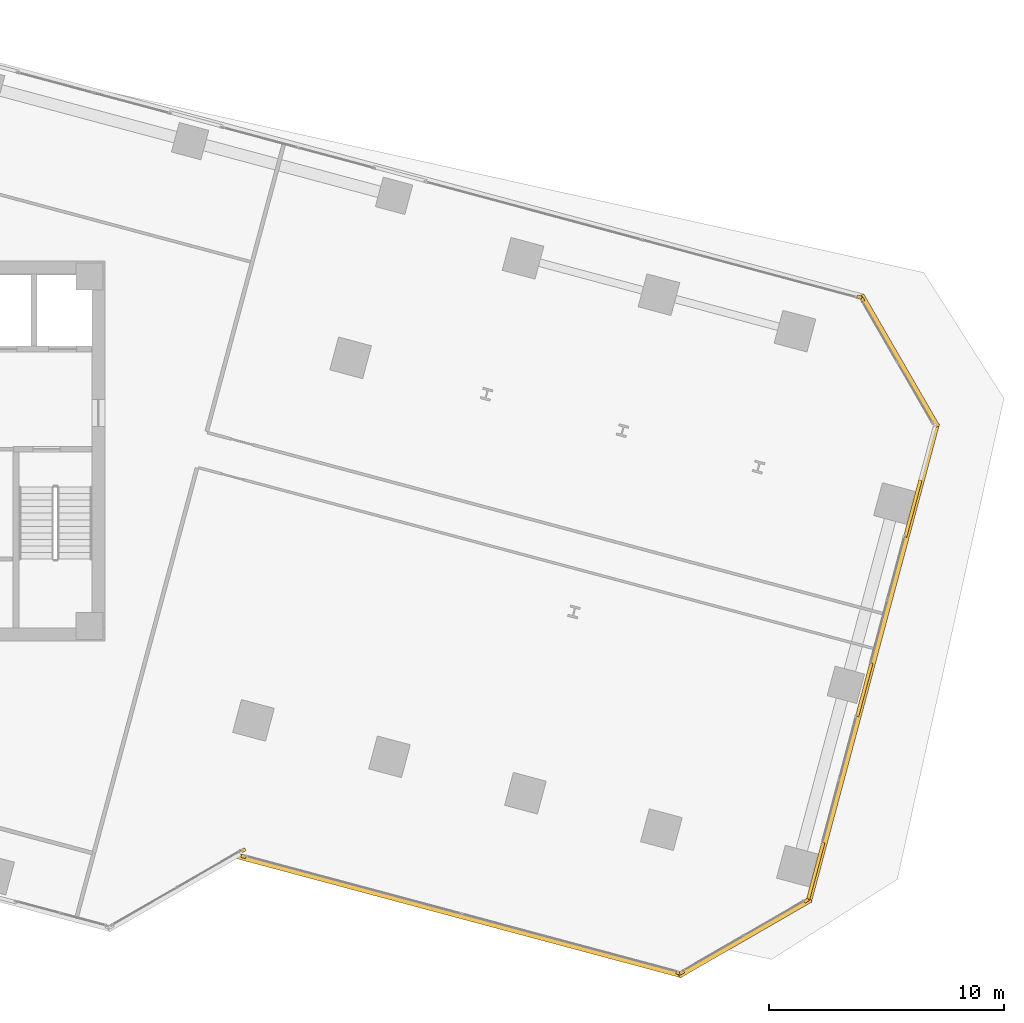
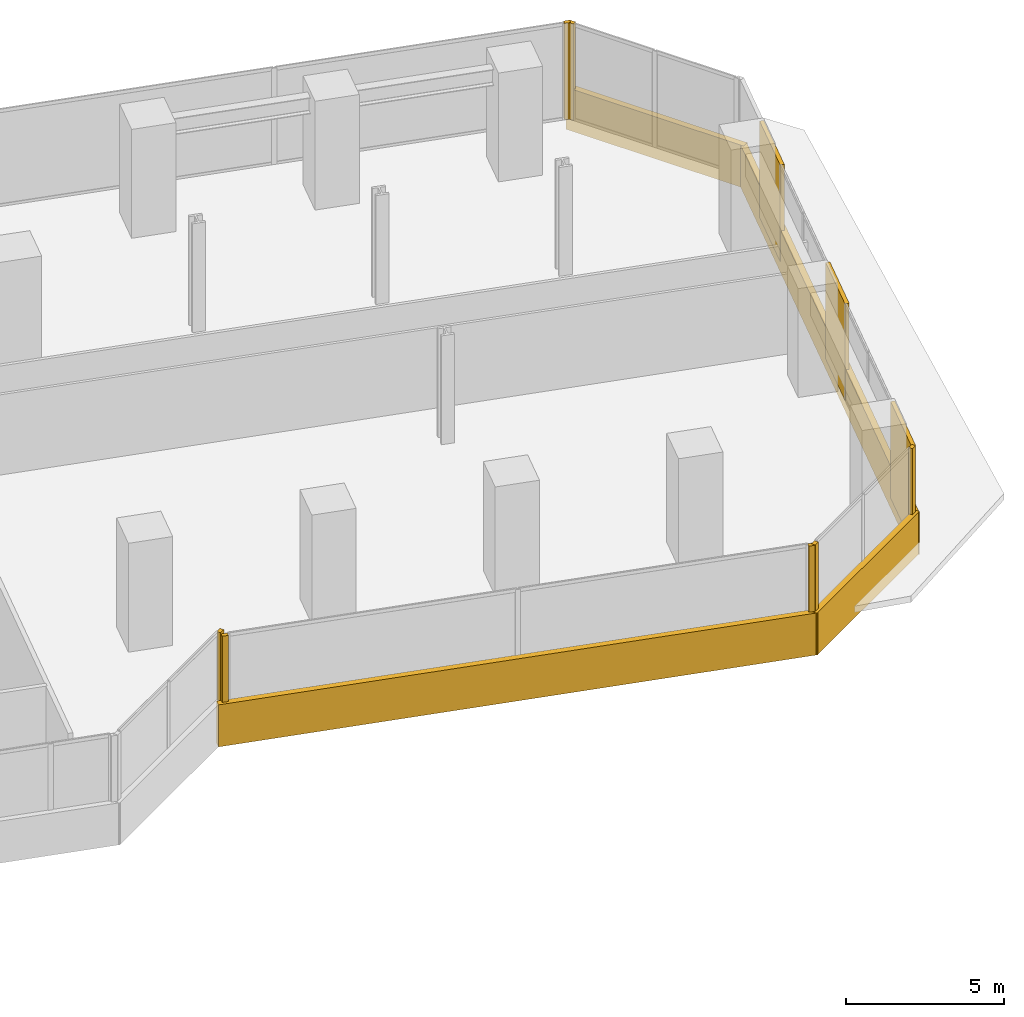
# One storey, part 24 of 26: 14 coverings.
"""IFC4 building model written with IfcOpenShell, lengths in metres."""

from ifc_helpers import new_model, si_unit, direction, frame, origin, origin_2d, place, context, subcontext, project, spatial, rectangle, extrude, source, transform, mapped, material, layer, layer_set, type_object, element, save


model = new_model("IFC4")

# Units and contexts
model_context = context("Model", 3, precision=1e-05, world=origin(), true_north=direction((0.0, 1.0)))
body_context = subcontext(model_context, "Body", "Model", "MODEL_VIEW")
ifc_project = project(units=[si_unit("LENGTHUNIT", "METRE"), si_unit("AREAUNIT", "SQUARE_METRE"), si_unit("VOLUMEUNIT", "CUBIC_METRE"), si_unit("PLANEANGLEUNIT", "RADIAN"), si_unit("MASSUNIT", "GRAM", prefix="KILO")], contexts=[model_context])

# Site, building, storey
site_placement = place(None, origin())
site = spatial("IfcSite", under=ifc_project, at=site_placement, CompositionType="ELEMENT")
building_placement = place(site_placement, origin())
building = spatial("IfcBuilding", under=site, at=building_placement, Name="Torre Montelarca", CompositionType="ELEMENT")
storey_placement = place(building_placement, frame((0.0, 0.0, 100.0)))
storey = spatial("IfcBuildingStorey", under=building, at=storey_placement, Name="L22", CompositionType="ELEMENT", Elevation=100.0)

# Coverings
ifc_material = material(Name="Bush-hammered warm white precast concrete C45/55", Category="concrete")
ifc_layer = layer(ifc_material, 0.139892578125, Name="Bush-hammered warm white precast concrete C45/55", Category="concrete")
ifc_layer_set = layer_set([ifc_layer], Name="Bush-hammered warm white precast concrete C45/55")
covering_type = type_object("IfcCoveringType", Name="COV-TRAY-CLAD", PredefinedType="CLADDING", material=ifc_layer_set)
shared_shape_1 = source(origin(), body_context, "Body", "SweptSolid", [
    extrude(rectangle(XDim=6.48388671875, YDim=0.219970703125, at=origin_2d()), origin(), (0.0, 0.0, 1.0), 1.6201171875),
])
for number, where, z_axis, x_axis, name in (
    (1, (54.3798828125, 11.25439453125, -0.449951171875), (0.0, 0.0, 1.0), (0.866026276448, 0.4999984885, 0.0), "L22 Architectural White Spandrel Tray Band TRYBOT-05"),
    (2, (60.96875, 35.844482421875, -0.449951171875), (0.0, 0.0, 1.0), (-0.500006045986, 0.866021913105, 0.0), "L22 Architectural White Spandrel Tray Band TRYBOT-07"),
):
    element("IfcCovering", number, at=place(storey_placement, frame(where, z_axis=z_axis, x_axis=x_axis)), inside=storey, type_object=covering_type, Name=name, PredefinedType="CLADDING", context=body_context, shape_type="MappedRepresentation", body=[
        mapped(shared_shape_1, transform((0.0, 0.0, 0.0), scale=1.0)),
    ])
shared_shape_2 = source(origin(), body_context, "Body", "SweptSolid", [
    extrude(rectangle(XDim=21.1201171875, YDim=0.219970703125, at=origin_2d()), origin(), (0.0, 0.0, 1.0), 1.6201171875),
])
covering_1_placement = place(storey_placement, frame((59.839111328125, 22.969482421875, -0.449951171875), z_axis=(0.0, 0.0, 1.0), x_axis=(0.258819045103, 0.965925826289, 0.0)))
element("IfcCovering", 3, at=covering_1_placement, inside=storey, type_object=covering_type, Name="L22 Architectural White Spandrel Tray Band TRYBOT-06", PredefinedType="CLADDING", context=body_context, shape_type="MappedRepresentation", body=[
    mapped(shared_shape_2, transform((0.0, 0.0, 0.0), scale=1.0)),
])
shared_shape_3 = source(origin(), body_context, "Body", "SweptSolid", [
    extrude(rectangle(XDim=19.6201171875, YDim=0.219970703125, at=origin_2d()), origin(), (0.0, 0.0, 1.0), 1.6201171875),
])
covering_2_placement = place(storey_placement, frame((42.22900390625, 12.18994140625, -0.449951171875), z_axis=(0.0, 0.0, 1.0), x_axis=(0.965925374563, -0.258820730961, 0.0)))
element("IfcCovering", 4, at=covering_2_placement, inside=storey, type_object=covering_type, Name="L22 Architectural White Spandrel Tray Band TRYBOT-04", PredefinedType="CLADDING", context=body_context, shape_type="MappedRepresentation", body=[
    mapped(shared_shape_3, transform((0.0, 0.0, 0.0), scale=1.0)),
])
shared_shape_4 = source(origin(), body_context, "Body", "SweptSolid", [
    extrude(rectangle(XDim=0.199951171875, YDim=0.139892578125, at=origin_2d()), origin(), (0.0, 0.0, 1.0), 3.719970703125),
])
for number, where, z_axis, x_axis, name in (
    (5, (33.002197265625, 14.984619140625, 0.0), (0.0, 0.0, 1.0), (0.866024531118, 0.500001511499, 0.0), "L22 Architectural Column Pier Cladding E02-2"),
    (6, (33.01220703125, 14.7216796875, 0.0), (0.0, 0.0, 1.0), (0.965924471102, -0.258824102675, 0.0), "L22 Architectural Column Pier Cladding E04-1"),
    (7, (51.550537109375, 9.75439453125, 0.0), (0.0, 0.0, 1.0), (0.965924471102, -0.258824102675, 0.0), "L22 Architectural Column Pier Cladding E04-2"),
    (8, (51.6943359375, 9.773193359375, 0.0), (0.0, 0.0, 1.0), (0.866024531118, 0.500001511499, 0.0), "L22 Architectural Column Pier Cladding E05-1"),
    (9, (57.005126953125, 12.839599609375, 0.0), (0.0, 0.0, 1.0), (0.866024531118, 0.500001511499, 0.0), "L22 Architectural Column Pier Cladding E05-2"),
    (10, (59.383544921875, 38.469970703125, 0.0), (0.0, 0.0, 1.0), (-0.500007557478, 0.866021040428, 0.0), "L22 Architectural Column Pier Cladding E07-2"),
    (11, (59.2685546875, 38.558349609375, 0.0), (0.0, 0.0, 1.0), (-0.965925374563, 0.258820730961, 0.0), "L22 Architectural Column Pier Cladding E08-1"),
):
    element("IfcCovering", number, at=place(storey_placement, frame(where, z_axis=z_axis, x_axis=x_axis)), inside=storey, type_object=covering_type, Name=name, PredefinedType="CLADDING", context=body_context, shape_type="MappedRepresentation", body=[
        mapped(shared_shape_4, transform((0.0, 0.0, 0.0), scale=1.0)),
    ])
shared_shape_5 = source(origin(), body_context, "Body", "SweptSolid", [
    extrude(rectangle(XDim=2.360107421875, YDim=0.139892578125, at=origin_2d()), origin(), (0.0, 0.0, 1.0), 3.719970703125),
])
covering_3_placement = place(storey_placement, frame((59.470703125, 21.82568359375, 0.0), z_axis=(0.0, 0.0, 1.0), x_axis=(0.258819045103, 0.965925826289, 0.0)))
element("IfcCovering", 12, at=covering_3_placement, inside=storey, type_object=covering_type, Name="L22 Architectural Column Pier Cladding E06-2", PredefinedType="CLADDING", context=body_context, shape_type="MappedRepresentation", body=[
    mapped(shared_shape_5, transform((0.0, 0.0, 0.0), scale=1.0)),
])
shared_shape_6 = source(origin(), body_context, "Body", "SweptSolid", [
    extrude(rectangle(XDim=2.510009765625, YDim=0.139892578125, at=origin_2d()), origin(), (0.0, 0.0, 1.0), 3.719970703125),
])
covering_4_placement = place(storey_placement, frame((61.541259765625, 29.55322265625, 0.0), z_axis=(0.0, 0.0, 1.0), x_axis=(0.258819045103, 0.965925826289, 0.0)))
element("IfcCovering", 13, at=covering_4_placement, inside=storey, type_object=covering_type, Name="L22 Architectural Column Pier Cladding E06-3", PredefinedType="CLADDING", context=body_context, shape_type="MappedRepresentation", body=[
    mapped(shared_shape_6, transform((0.0, 0.0, 0.0), scale=1.0)),
])
shared_shape_7 = source(origin(), body_context, "Body", "SweptSolid", [
    extrude(rectangle(XDim=2.5390625, YDim=0.139892578125, at=origin_2d()), origin(), (0.0, 0.0, 1.0), 3.719970703125),
])
covering_5_placement = place(storey_placement, frame((57.396240234375, 14.08447265625, 0.0), z_axis=(0.0, 0.0, 1.0), x_axis=(0.258819045103, 0.965925826289, 0.0)))
element("IfcCovering", 14, at=covering_5_placement, inside=storey, type_object=covering_type, Name="L22 Architectural Column Pier Cladding E06-1", PredefinedType="CLADDING", context=body_context, shape_type="MappedRepresentation", body=[
    mapped(shared_shape_7, transform((0.0, 0.0, 0.0), scale=1.0)),
])

save(model, "model.ifc")
